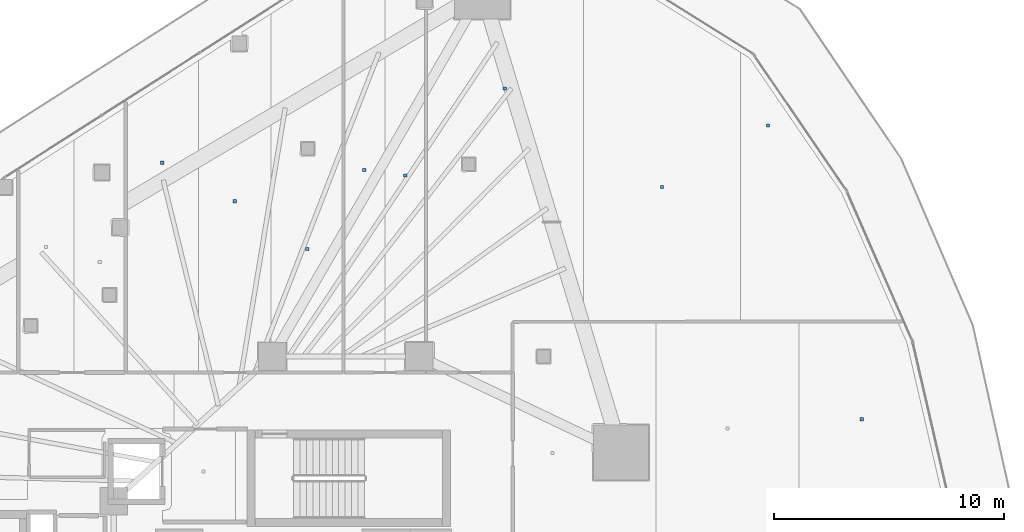
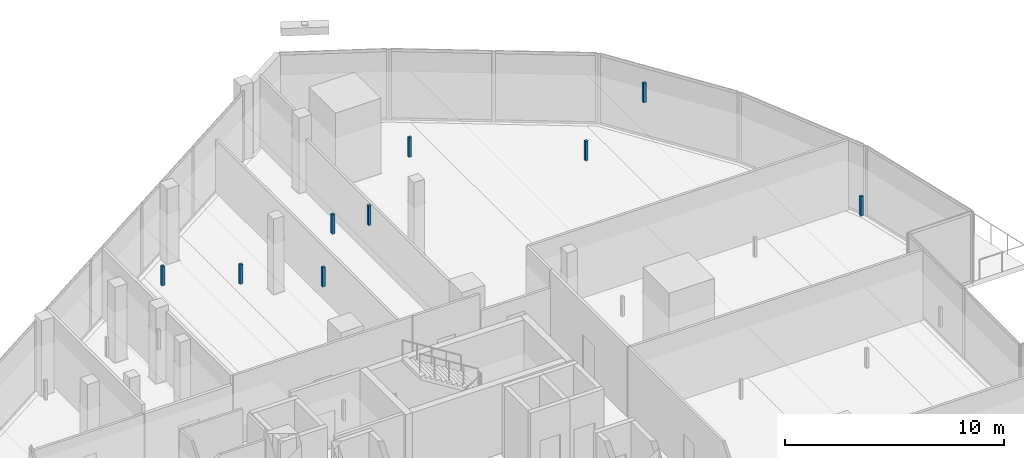
# One storey, part 36 of 46: 9 discrete accessories.
"""IFC4 building model written with IfcOpenShell, lengths in metres."""

from ifc_helpers import new_model, si_unit, direction, frame, origin, origin_2d, place, context, subcontext, project, spatial, rectangle, extrude, material, type_object, element, save


model = new_model("IFC4")

# Units and contexts
model_context = context("Model", 3, precision=1e-05, world=origin(), true_north=direction((0.0, 1.0)))
body_context = subcontext(model_context, "Body", "Model", "MODEL_VIEW")
ifc_project = project(units=[si_unit("LENGTHUNIT", "METRE"), si_unit("AREAUNIT", "SQUARE_METRE"), si_unit("VOLUMEUNIT", "CUBIC_METRE"), si_unit("PLANEANGLEUNIT", "RADIAN"), si_unit("MASSUNIT", "GRAM", prefix="KILO")], contexts=[model_context])

# Site, building, storey
site_placement = place(None, origin())
site = spatial("IfcSite", under=ifc_project, at=site_placement, CompositionType="ELEMENT")
building_placement = place(site_placement, origin())
building = spatial("IfcBuilding", under=site, at=building_placement, Name="Qorvath Tower", CompositionType="ELEMENT")
storey_placement = place(building_placement, frame((0.0, 0.0, 87.0)))
storey = spatial("IfcBuildingStorey", under=building, at=storey_placement, Name="L19", CompositionType="ELEMENT", Elevation=87.0)

# Discrete accessories
ifc_material = material(Name="Galvanised steel bracket", Category="steel")
discrete_accessory_type = type_object("IfcDiscreteAccessoryType", Name="DA-BRACKET", PredefinedType="BRACKET", material=ifc_material)
for number, where, z_axis, x_axis, name in (
    (1, (-28.388916015625, 19.87646484375, 2.860107421875), (0.0, 0.0, 1.0), (1.0, 0.0, 0.0), "Acoustic Ceiling Suspension Hanger T1-L19-012"),
    (2, (-25.235107421875, 18.208251953125, 2.860107421875), (0.0, 0.0, 1.0), (1.0, 0.0, 0.0), "Acoustic Ceiling Suspension Hanger T1-L19-013"),
    (3, (-22.081787109375, 16.126220703125, 2.860107421875), (0.0, 0.0, 1.0), (1.0, 0.0, 0.0), "Acoustic Ceiling Suspension Hanger T1-L19-014"),
    (4, (-19.59521484375, 19.563720703125, 2.860107421875), (0.0, 0.0, 1.0), (1.0, 0.0, 0.0), "Acoustic Ceiling Suspension Hanger T1-L19-015"),
    (5, (-17.81298828125, 19.3271484375, 2.860107421875), (0.0, 0.0, 1.0), (1.0, 0.0, 0.0), "Acoustic Ceiling Suspension Hanger T1-L19-016"),
    (6, (-13.486083984375, 23.11181640625, 2.860107421875), (0.0, 0.0, 1.0), (1.0, 0.0, 0.0), "Acoustic Ceiling Suspension Hanger T1-L19-017"),
    (7, (-6.64697265625, 18.823486328125, 2.860107421875), (0.0, 0.0, 1.0), (1.0, 0.0, 0.0), "Acoustic Ceiling Suspension Hanger T1-L19-018"),
    (8, (-2.031494140625, 21.501953125, 2.860107421875), (0.0, 0.0, 1.0), (1.0, 0.0, 0.0), "Acoustic Ceiling Suspension Hanger T1-L19-019"),
    (9, (2.044189453125, 8.71923828125, 2.860107421875), (0.0, 0.0, 1.0), (1.0, 0.0, 0.0), "Acoustic Ceiling Suspension Hanger T1-L19-036"),
):
    element("IfcDiscreteAccessory", number, at=place(storey_placement, frame(where, z_axis=z_axis, x_axis=x_axis)), inside=storey, type_object=discrete_accessory_type, Name=name, PredefinedType="NOTDEFINED", context=body_context, shape_type="SweptSolid", body=[
        extrude(rectangle(XDim=0.139892578125, YDim=0.139892578125, at=origin_2d()), origin(), (0.0, 0.0, 1.0), 1.08984375),
    ])

save(model, "model.ifc")
